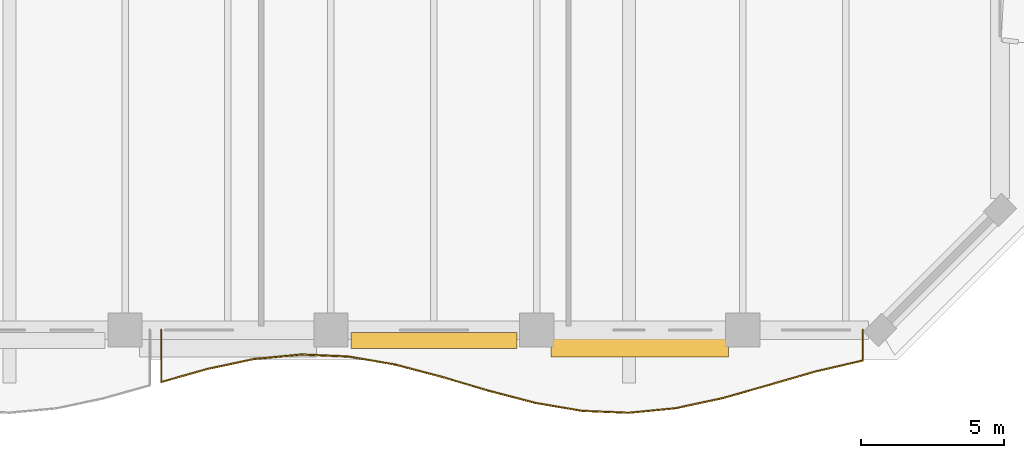
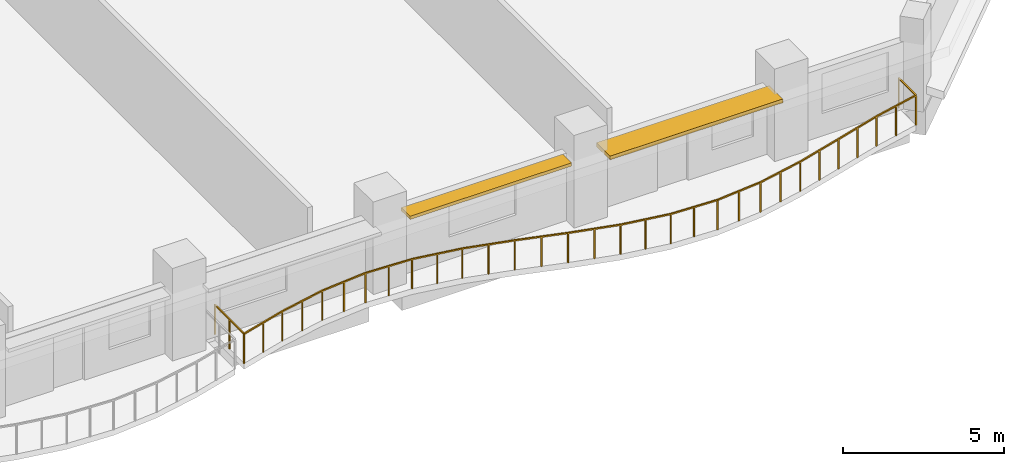
# One storey, part 14 of 15: 2 shading devices, 1 railing.
"""IFC4 building model written with IfcOpenShell, lengths in metres."""

import ifcopenshell
import ifcopenshell.guid

model = None  # the IFC model being written
_history = None  # IfcOwnerHistory: only IFC2X3 demands one
_inside = {}  # id of a spatial element -> (the spatial element, [elements in it])
_under = {}  # id of a project, library or spatial element -> (it, [spatial elements below it])
_declared = {}  # id of a project -> (the project, [libraries it declares])
_typed = {}  # id of a type object -> (the type object, [elements of that type])
_made_of = {}  # id of a material, layer set ... -> (it, [elements and type objects made of it])


def new_model(schema):
    """Start an empty IFC model of exactly this schema.

    Asked for "IFC4X3", IfcOpenShell would pick the latest addendum, in which some entities
    have other attributes; the version numbers below select the first issue.
    IFC2X3 requires an IfcOwnerHistory on every rooted entity: one is made here for all.
    """
    global model, _history
    if schema == "IFC4X3":
        model = ifcopenshell.file(schema_version=(4, 3, 0, 0))
    else:
        model = ifcopenshell.file(schema=schema)
    _inside.clear()
    _under.clear()
    _declared.clear()
    _typed.clear()
    _made_of.clear()
    _history = None
    if model.schema == "IFC2X3":
        org = make("IfcOrganization", Name="unknown")
        user = make(
            "IfcPersonAndOrganization",
            ThePerson=make("IfcPerson", FamilyName="unknown"),
            TheOrganization=org,
        )
        app = make(
            "IfcApplication",
            ApplicationDeveloper=org,
            Version="unknown",
            ApplicationFullName="unknown",
            ApplicationIdentifier="unknown",
        )
        _history = make(
            "IfcOwnerHistory",
            OwningUser=user,
            OwningApplication=app,
            ChangeAction="ADDED",
            CreationDate=0,
        )
    return model


def make(cls, **values):
    """One entity of the class cls with the attributes given. An attribute that is None is left unset."""
    return model.create_entity(
        cls, **{name: value for name, value in values.items() if value is not None}
    )


def rooted(cls, **values):
    """An entity with a GlobalId (a new one), such as an element, a storey or a relation."""
    return make(cls, GlobalId=ifcopenshell.guid.new(), OwnerHistory=_history, **values)


def si_unit(unit_type, name, prefix=None):
    """IfcSIUnit, for example si_unit("LENGTHUNIT", "METRE", prefix="MILLI")."""
    return make("IfcSIUnit", UnitType=unit_type, Prefix=prefix, Name=name)


def assignment(units):
    """IfcUnitAssignment: the units of a project."""
    return None if units is None else make("IfcUnitAssignment", Units=units)


def point(xyz):
    """IfcCartesianPoint."""
    return None if xyz is None else make("IfcCartesianPoint", Coordinates=xyz)


def direction(xyz):
    """IfcDirection."""
    return None if xyz is None else make("IfcDirection", DirectionRatios=xyz)


def frame(location, z_axis=None, x_axis=None):
    """IfcAxis2Placement3D, a coordinate frame: its origin and axes. An axis left out is left unset."""
    return make(
        "IfcAxis2Placement3D",
        Location=point(location),
        Axis=direction(z_axis),
        RefDirection=direction(x_axis),
    )


def frame_2d(location, x_axis=None):
    """IfcAxis2Placement2D, a coordinate frame in the plane: its origin and x axis."""
    return make(
        "IfcAxis2Placement2D", Location=point(location), RefDirection=direction(x_axis)
    )


def origin():
    """The frame at (0, 0, 0) with its axes left unset."""
    return frame((0.0, 0.0, 0.0))


def origin_2d():
    """The frame at (0, 0) in the plane with its x axis left unset."""
    return frame_2d((0.0, 0.0))


def place(relative_to, where):
    """IfcLocalPlacement: puts the frame where relative to a parent placement (None: the world)."""
    return make(
        "IfcLocalPlacement", PlacementRelTo=relative_to, RelativePlacement=where
    )


def context(
    kind, dimensions, precision=None, world=None, true_north=None, identifier=None
):
    """IfcGeometricRepresentationContext, for example the 3D "Model" context."""
    return make(
        "IfcGeometricRepresentationContext",
        ContextIdentifier=identifier,
        ContextType=kind,
        CoordinateSpaceDimension=dimensions,
        Precision=precision,
        WorldCoordinateSystem=world,
        TrueNorth=true_north,
    )


def subcontext(parent, identifier, kind, view, scale=None):
    """IfcGeometricRepresentationSubContext, for example "Body" below "Model"."""
    return make(
        "IfcGeometricRepresentationSubContext",
        ContextIdentifier=identifier,
        ContextType=kind,
        ParentContext=parent,
        TargetScale=scale,
        TargetView=view,
    )


def project(units=None, contexts=None):
    """IfcProject with its units and contexts."""
    return rooted(
        "IfcProject",
        Name="project",
        RepresentationContexts=contexts,
        UnitsInContext=assignment(units),
    )


def spatial(cls, under=None, at=None, **own):
    """A site, building, storey or space (cls), placed at a placement, below another one or the project."""
    s = rooted(cls, ObjectPlacement=at, **own)
    if under is not None:
        _under.setdefault(under.id(), (under, []))[1].append(s)
    return s


def profile(cls, at=None, kind="AREA", **sizes):
    """A parametric profile (cls). Its sizes go by their IFC names, for example OverallWidth=200.0."""
    return make(cls, ProfileType=kind, Position=at, **sizes)


def rectangle(**sizes):
    """IfcRectangleProfileDef."""
    return profile("IfcRectangleProfileDef", **sizes)


def extrude(swept, where, along, depth):
    """IfcExtrudedAreaSolid: the profile swept, set in the frame where, extruded along a direction by depth."""
    return make(
        "IfcExtrudedAreaSolid",
        SweptArea=swept,
        Position=where,
        ExtrudedDirection=direction(along),
        Depth=depth,
    )


def shape(context_of_items, identifier, shape_type, items):
    """IfcShapeRepresentation: the items that make up one representation, for example the "Body"."""
    return make(
        "IfcShapeRepresentation",
        ContextOfItems=context_of_items,
        RepresentationIdentifier=identifier,
        RepresentationType=shape_type,
        Items=items,
    )


def material(Name=None, Category=None):
    """IfcMaterial."""
    return make("IfcMaterial", Name=Name, Category=Category)


def layer(
    of_material, thickness, ventilated=None, Name=None, Category=None, Priority=None
):
    """IfcMaterialLayer: one layer of a wall or slab, of a material (None: an air gap)."""
    return make(
        "IfcMaterialLayer",
        Material=of_material,
        LayerThickness=thickness,
        IsVentilated=ventilated,
        Name=Name,
        Category=Category,
        Priority=Priority,
    )


def layer_set(layers, Name=None):
    """IfcMaterialLayerSet."""
    return make("IfcMaterialLayerSet", MaterialLayers=layers, LayerSetName=Name)


def made_of(thing, what):
    """Note that an element or type object is made of a material, layer set ...; save() writes the relation."""
    if what is not None:
        _made_of.setdefault(what.id(), (what, []))[1].append(thing)
    return thing


def type_object(cls, material=None, **own):
    """A type object (cls), such as IfcWallType, which elements share."""
    return made_of(rooted(cls, **own), material)


def element(
    cls,
    number,
    at=None,
    inside=None,
    cuts=None,
    type_object=None,
    material=None,
    context=None,
    identifier="Body",
    shape_type=None,
    held_by="IfcProductDefinitionShape",
    body=None,
    shapes=None,
    **own,
):
    """One element of the class cls, such as IfcWall. Its Tag is "e" and its number.

    at: its placement. inside: the storey or other place that contains it. cuts: it is an
    opening in that element (IfcRelVoidsElement). A single representation is given by context,
    identifier, shape_type and body (its items); several are given by shapes. held_by: the class
    of the entity that holds the representations. save() writes the other relations.
    """
    e = rooted(cls, Tag="e%d" % number, ObjectPlacement=at, **own)
    if body is not None:
        shapes = [shape(context, identifier, shape_type, body)]
    if shapes is not None:
        e.Representation = make(held_by, Representations=shapes)
    if inside is not None:
        _inside.setdefault(inside.id(), (inside, []))[1].append(e)
    if cuts is not None:
        rooted(
            "IfcRelVoidsElement", RelatingBuildingElement=cuts, RelatedOpeningElement=e
        )
    if type_object is not None:
        _typed.setdefault(type_object.id(), (type_object, []))[1].append(e)
    return made_of(e, material)


def aggregate(whole, parts):
    """IfcRelAggregates: a whole, such as a stair, and the parts it consists of."""
    return rooted("IfcRelAggregates", RelatingObject=whole, RelatedObjects=parts)


def save(model, path):
    """Write the relations noted so far, then the file.

    IfcRelAggregates (storeys below a building ...), IfcRelContainedInSpatialStructure (elements
    in a storey), IfcRelDefinesByType, IfcRelAssociatesMaterial and IfcRelDeclares: one each for
    every whole, place, type object, material and project.
    """
    for whole, parts in _under.values():
        aggregate(whole, parts)
    for where, things in _inside.values():
        rooted(
            "IfcRelContainedInSpatialStructure",
            RelatedElements=things,
            RelatingStructure=where,
        )
    for kind, things in _typed.values():
        rooted("IfcRelDefinesByType", RelatedObjects=things, RelatingType=kind)
    for what, things in _made_of.values():
        rooted("IfcRelAssociatesMaterial", RelatedObjects=things, RelatingMaterial=what)
    for by, libraries in _declared.values():
        rooted("IfcRelDeclares", RelatingContext=by, RelatedDefinitions=libraries)
    model.write(path)


model = new_model("IFC4")

# Units and contexts
model_context = context("Model", 3, precision=1e-05, world=origin(), true_north=direction((0.0, 1.0)))
body_context = subcontext(model_context, "Body", "Model", "MODEL_VIEW")
ifc_project = project(units=[si_unit("LENGTHUNIT", "METRE"), si_unit("AREAUNIT", "SQUARE_METRE"), si_unit("VOLUMEUNIT", "CUBIC_METRE"), si_unit("PLANEANGLEUNIT", "RADIAN"), si_unit("MASSUNIT", "GRAM", prefix="KILO")], contexts=[model_context])

# Site, building, storey
site_placement = place(None, origin())
site = spatial("IfcSite", under=ifc_project, at=site_placement, CompositionType="ELEMENT")
building_placement = place(site_placement, origin())
building = spatial("IfcBuilding", under=site, at=building_placement, Name="Kaelvorn Grand Hotel", CompositionType="ELEMENT")
storey_placement = place(building_placement, frame((0.0, 0.0, 100.550048828125)))
storey = spatial("IfcBuildingStorey", under=building, at=storey_placement, Name="L23", CompositionType="ELEMENT", Elevation=100.550048828125)

# Railing
ifc_material_1 = material(Name="Stainless Steel", Category="steel")
railing_type = type_object("IfcRailingType", Name="RL-BALC-1150", PredefinedType="BALUSTRADE", material=ifc_material_1)
railing_placement = place(storey_placement, frame((54.666748046875, 0.0, 0.0)))
element("IfcRailing", 1, at=railing_placement, inside=storey, type_object=railing_type, Name="L23 Scalloped Wave Balcony Balustrade GR1-3", PredefinedType="BALUSTRADE", context=body_context, shape_type="SweptSolid", body=[
    extrude(rectangle(XDim=0.048095703125, YDim=0.048095703125, at=origin_2d()), frame((0.0, 0.0, 1.1259765625), z_axis=(0.0, -1.0, 0.0), x_axis=(1.0, 0.0, 0.0)), (0.0, 0.0, 1.0), 1.8193359375),
    extrude(rectangle(XDim=0.048095703125, YDim=0.048095703125, at=origin_2d()), frame((0.0, -1.8193359375, 1.1259765625), z_axis=(0.962241545122, 0.272197003733, 0.0), x_axis=(-0.272197003733, 0.962241545122, 0.0)), (0.0, 0.0, 1.0), 1.69970703125),
    extrude(rectangle(XDim=0.048095703125, YDim=0.048095703125, at=origin_2d()), frame((1.635498046875, -1.356689453125, 1.1259765625), z_axis=(0.978174805455, 0.207783661466, 0.0), x_axis=(-0.207783661466, 0.978174805455, 0.0)), (0.0, 0.0, 1.0), 1.671875),
    extrude(rectangle(XDim=0.048095703125, YDim=0.048095703125, at=origin_2d()), frame((3.27099609375, -1.00927734375, 1.1259765625), z_axis=(0.995523480824, 0.09451454453, 0.0), x_axis=(-0.09451454453, 0.995523480824, 0.0)), (0.0, 0.0, 1.0), 1.642822265625),
    extrude(rectangle(XDim=0.048095703125, YDim=0.048095703125, at=origin_2d()), frame((4.906494140625, -0.85400390625, 1.1259765625), z_axis=(0.999045154146, -0.043689586592, 0.0), x_axis=(0.043689586592, 0.999045154146, 0.0)), (0.0, 0.0, 1.0), 1.63720703125),
    extrude(rectangle(XDim=0.048095703125, YDim=0.048095703125, at=origin_2d()), frame((6.542236328125, -0.925537109375, 1.1259765625), z_axis=(0.985410815118, -0.170192612792, 0.0), x_axis=(0.170192612792, 0.985410815118, 0.0)), (0.0, 0.0, 1.0), 1.65966796875),
    extrude(rectangle(XDim=0.048095703125, YDim=0.048095703125, at=origin_2d()), frame((8.177734375, -1.2080078125, 1.1259765625), z_axis=(0.967035258154, -0.254642513119, 0.0), x_axis=(0.254642513119, 0.967035258154, 0.0)), (0.0, 0.0, 1.0), 1.691162109375),
    extrude(rectangle(XDim=0.048095703125, YDim=0.048095703125, at=origin_2d()), frame((9.813232421875, -1.638671875, 1.1259765625), z_axis=(0.959066322629, -0.283181547419, 0.0), x_axis=(0.283181547419, 0.959066322629, 0.0)), (0.0, 0.0, 1.0), 1.705322265625),
    extrude(rectangle(XDim=0.048095703125, YDim=0.048095703125, at=origin_2d()), frame((11.44873046875, -2.12158203125, 1.1259765625), z_axis=(0.967363797332, -0.253391561839, 0.0), x_axis=(0.253391561839, 0.967363797332, 0.0)), (0.0, 0.0, 1.0), 1.69091796875),
    extrude(rectangle(XDim=0.048095703125, YDim=0.048095703125, at=origin_2d()), frame((13.08447265625, -2.550048828125, 1.1259765625), z_axis=(0.985827384416, -0.167762832995, 0.0), x_axis=(0.167762832995, 0.985827384416, 0.0)), (0.0, 0.0, 1.0), 1.658935546875),
    extrude(rectangle(XDim=0.048095703125, YDim=0.048095703125, at=origin_2d()), frame((14.719970703125, -2.828369140625, 1.1259765625), z_axis=(0.9991706558, -0.040718553371, 0.0), x_axis=(0.040718553371, 0.9991706558, 0.0)), (0.0, 0.0, 1.0), 1.636962890625),
    extrude(rectangle(XDim=0.048095703125, YDim=0.048095703125, at=origin_2d()), frame((16.35546875, -2.89501953125, 1.1259765625), z_axis=(0.995253950263, 0.097311738681, 0.0), x_axis=(-0.097311738681, 0.995253950263, 0.0)), (0.0, 0.0, 1.0), 1.643310546875),
    extrude(rectangle(XDim=0.048095703125, YDim=0.048095703125, at=origin_2d()), frame((17.990966796875, -2.735107421875, 1.1259765625), z_axis=(0.977727596313, 0.209877934542, 0.0), x_axis=(-0.209877934542, 0.977727596313, 0.0)), (0.0, 0.0, 1.0), 1.6728515625),
    extrude(rectangle(XDim=0.048095703125, YDim=0.048095703125, at=origin_2d()), frame((19.62646484375, -2.384033203125, 1.1259765625), z_axis=(0.962026235743, 0.272956996141, 0.0), x_axis=(-0.272956996141, 0.962026235743, 0.0)), (0.0, 0.0, 1.0), 1.7001953125),
    extrude(rectangle(XDim=0.048095703125, YDim=0.048095703125, at=origin_2d()), frame((21.26220703125, -1.919921875, 1.1259765625), z_axis=(0.960494697942, 0.278298284625, 0.0), x_axis=(-0.278298284625, 0.960494697942, 0.0)), (0.0, 0.0, 1.0), 1.702880859375),
    extrude(rectangle(XDim=0.048095703125, YDim=0.048095703125, at=origin_2d()), frame((22.897705078125, -1.446044921875, 1.1259765625), z_axis=(0.974229174149, 0.225560449187, 0.0), x_axis=(-0.225560449187, 0.974229174149, 0.0)), (0.0, 0.0, 1.0), 1.6787109375),
    extrude(rectangle(XDim=0.048095703125, YDim=0.048095703125, at=origin_2d()), frame((24.533203125, -1.0673828125, 1.1259765625), z_axis=(0.0, 1.0, 0.0), x_axis=(-1.0, 0.0, 0.0)), (0.0, 0.0, 1.0), 1.0673828125),
    extrude(rectangle(XDim=0.0419921875, YDim=0.0419921875, at=origin_2d()), origin(), (0.0, 0.0, 1.0), 1.101806640625),
    extrude(rectangle(XDim=0.0419921875, YDim=0.0419921875, at=origin_2d()), frame((0.0, -0.90966796875, 0.0)), (0.0, 0.0, 1.0), 1.101806640625),
    extrude(rectangle(XDim=0.0419921875, YDim=0.0419921875, at=origin_2d()), frame((0.0, -1.8193359375, 0.0)), (0.0, 0.0, 1.0), 1.101806640625),
    extrude(rectangle(XDim=0.0419921875, YDim=0.0419921875, at=origin_2d()), frame((0.81787109375, -1.587890625, 0.0)), (0.0, 0.0, 1.0), 1.101806640625),
    extrude(rectangle(XDim=0.0419921875, YDim=0.0419921875, at=origin_2d()), frame((1.635498046875, -1.356689453125, 0.0)), (0.0, 0.0, 1.0), 1.101806640625),
    extrude(rectangle(XDim=0.0419921875, YDim=0.0419921875, at=origin_2d()), frame((2.453125, -1.18310546875, 0.0)), (0.0, 0.0, 1.0), 1.101806640625),
    extrude(rectangle(XDim=0.0419921875, YDim=0.0419921875, at=origin_2d()), frame((3.27099609375, -1.00927734375, 0.0)), (0.0, 0.0, 1.0), 1.101806640625),
    extrude(rectangle(XDim=0.0419921875, YDim=0.0419921875, at=origin_2d()), frame((4.0888671875, -0.931640625, 0.0)), (0.0, 0.0, 1.0), 1.101806640625),
    extrude(rectangle(XDim=0.0419921875, YDim=0.0419921875, at=origin_2d()), frame((4.906494140625, -0.85400390625, 0.0)), (0.0, 0.0, 1.0), 1.101806640625),
    extrude(rectangle(XDim=0.0419921875, YDim=0.0419921875, at=origin_2d()), frame((5.724365234375, -0.8896484375, 0.0)), (0.0, 0.0, 1.0), 1.101806640625),
    extrude(rectangle(XDim=0.0419921875, YDim=0.0419921875, at=origin_2d()), frame((6.542236328125, -0.925537109375, 0.0)), (0.0, 0.0, 1.0), 1.101806640625),
    extrude(rectangle(XDim=0.0419921875, YDim=0.0419921875, at=origin_2d()), frame((7.35986328125, -1.06689453125, 0.0)), (0.0, 0.0, 1.0), 1.101806640625),
    extrude(rectangle(XDim=0.0419921875, YDim=0.0419921875, at=origin_2d()), frame((8.177734375, -1.2080078125, 0.0)), (0.0, 0.0, 1.0), 1.101806640625),
    extrude(rectangle(XDim=0.0419921875, YDim=0.0419921875, at=origin_2d()), frame((8.99560546875, -1.42333984375, 0.0)), (0.0, 0.0, 1.0), 1.101806640625),
    extrude(rectangle(XDim=0.0419921875, YDim=0.0419921875, at=origin_2d()), frame((9.813232421875, -1.638671875, 0.0)), (0.0, 0.0, 1.0), 1.101806640625),
    extrude(rectangle(XDim=0.0419921875, YDim=0.0419921875, at=origin_2d()), frame((10.630859375, -1.880126953125, 0.0)), (0.0, 0.0, 1.0), 1.101806640625),
    extrude(rectangle(XDim=0.0419921875, YDim=0.0419921875, at=origin_2d()), frame((11.44873046875, -2.12158203125, 0.0)), (0.0, 0.0, 1.0), 1.101806640625),
    extrude(rectangle(XDim=0.0419921875, YDim=0.0419921875, at=origin_2d()), frame((12.2666015625, -2.3359375, 0.0)), (0.0, 0.0, 1.0), 1.101806640625),
    extrude(rectangle(XDim=0.0419921875, YDim=0.0419921875, at=origin_2d()), frame((13.08447265625, -2.550048828125, 0.0)), (0.0, 0.0, 1.0), 1.101806640625),
    extrude(rectangle(XDim=0.0419921875, YDim=0.0419921875, at=origin_2d()), frame((13.90234375, -2.689208984375, 0.0)), (0.0, 0.0, 1.0), 1.101806640625),
    extrude(rectangle(XDim=0.0419921875, YDim=0.0419921875, at=origin_2d()), frame((14.719970703125, -2.828369140625, 0.0)), (0.0, 0.0, 1.0), 1.101806640625),
    extrude(rectangle(XDim=0.0419921875, YDim=0.0419921875, at=origin_2d()), frame((15.53759765625, -2.86181640625, 0.0)), (0.0, 0.0, 1.0), 1.101806640625),
    extrude(rectangle(XDim=0.0419921875, YDim=0.0419921875, at=origin_2d()), frame((16.35546875, -2.89501953125, 0.0)), (0.0, 0.0, 1.0), 1.101806640625),
    extrude(rectangle(XDim=0.0419921875, YDim=0.0419921875, at=origin_2d()), frame((17.17333984375, -2.81494140625, 0.0)), (0.0, 0.0, 1.0), 1.101806640625),
    extrude(rectangle(XDim=0.0419921875, YDim=0.0419921875, at=origin_2d()), frame((17.990966796875, -2.735107421875, 0.0)), (0.0, 0.0, 1.0), 1.101806640625),
    extrude(rectangle(XDim=0.0419921875, YDim=0.0419921875, at=origin_2d()), frame((18.80859375, -2.5595703125, 0.0)), (0.0, 0.0, 1.0), 1.101806640625),
    extrude(rectangle(XDim=0.0419921875, YDim=0.0419921875, at=origin_2d()), frame((19.62646484375, -2.384033203125, 0.0)), (0.0, 0.0, 1.0), 1.101806640625),
    extrude(rectangle(XDim=0.0419921875, YDim=0.0419921875, at=origin_2d()), frame((20.4443359375, -2.15185546875, 0.0)), (0.0, 0.0, 1.0), 1.101806640625),
    extrude(rectangle(XDim=0.0419921875, YDim=0.0419921875, at=origin_2d()), frame((21.26220703125, -1.919921875, 0.0)), (0.0, 0.0, 1.0), 1.101806640625),
    extrude(rectangle(XDim=0.0419921875, YDim=0.0419921875, at=origin_2d()), frame((22.080078125, -1.68310546875, 0.0)), (0.0, 0.0, 1.0), 1.101806640625),
    extrude(rectangle(XDim=0.0419921875, YDim=0.0419921875, at=origin_2d()), frame((22.897705078125, -1.446044921875, 0.0)), (0.0, 0.0, 1.0), 1.101806640625),
    extrude(rectangle(XDim=0.0419921875, YDim=0.0419921875, at=origin_2d()), frame((23.71533203125, -1.2568359375, 0.0)), (0.0, 0.0, 1.0), 1.101806640625),
    extrude(rectangle(XDim=0.0419921875, YDim=0.0419921875, at=origin_2d()), frame((24.533203125, -1.0673828125, 0.0)), (0.0, 0.0, 1.0), 1.101806640625),
    extrude(rectangle(XDim=0.0419921875, YDim=0.0419921875, at=origin_2d()), frame((24.533203125, 0.0, 0.0)), (0.0, 0.0, 1.0), 1.101806640625),
])

# Shading devices
ifc_material_2 = material(Name="Precast concrete C45/55", Category="concrete")
ifc_layer_1 = layer(ifc_material_2, 0.1201171875)
ifc_layer_set_1 = layer_set([ifc_layer_1], Name="Precast concrete C45/55")
shading_device_type_1 = type_object("IfcShadingDeviceType", Name="SHD-SUNSHADE-550", PredefinedType="USERDEFINED", material=ifc_layer_set_1)
shading_device_1_placement = place(storey_placement, frame((64.199951171875, -0.364990234375, 2.419921875), z_axis=(0.0, 0.0, 1.0), x_axis=(1.0, 0.0, 0.0)))
element("IfcShadingDevice", 2, at=shading_device_1_placement, inside=storey, type_object=shading_device_type_1, Name="L23 Horizontal Concrete Sunshade Band SS-09", ObjectType="SUNSHADE", PredefinedType="USERDEFINED", context=body_context, shape_type="SweptSolid", body=[
    extrude(rectangle(XDim=5.800048828125, YDim=0.550048828125, at=origin_2d()), origin(), (0.0, 0.0, 1.0), 0.1201171875),
])
ifc_layer_2 = layer(ifc_material_2, 0.139892578125)
ifc_layer_set_2 = layer_set([ifc_layer_2], Name="Precast concrete C45/55")
shading_device_type_2 = type_object("IfcShadingDeviceType", Name="SHD-SUNSHADE-850", PredefinedType="USERDEFINED", material=ifc_layer_set_2)
shading_device_2_placement = place(storey_placement, frame((71.39990234375, -0.514892578125, 2.41015625), z_axis=(0.0, 0.0, 1.0), x_axis=(1.0, 0.0, 0.0)))
element("IfcShadingDevice", 3, at=shading_device_2_placement, inside=storey, type_object=shading_device_type_2, Name="L23 Horizontal Concrete Sunshade Band SS-10", ObjectType="SUNSHADE", PredefinedType="USERDEFINED", context=body_context, shape_type="SweptSolid", body=[
    extrude(rectangle(XDim=6.199951171875, YDim=0.85009765625, at=origin_2d()), origin(), (0.0, 0.0, 1.0), 0.139892578125),
])

save(model, "model.ifc")
